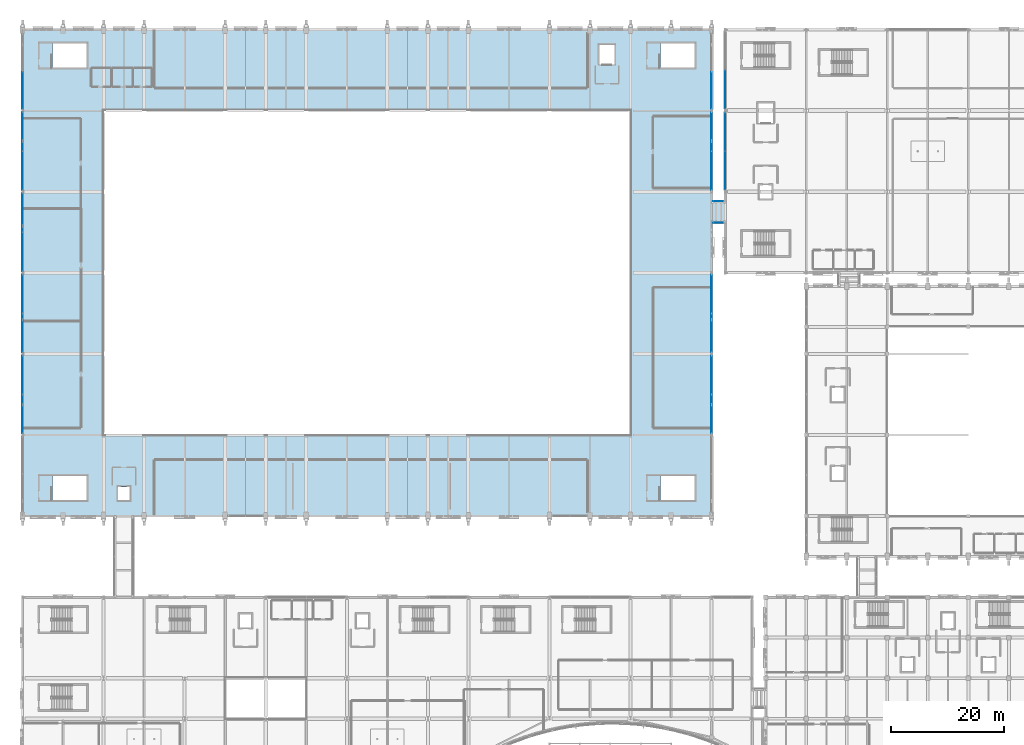
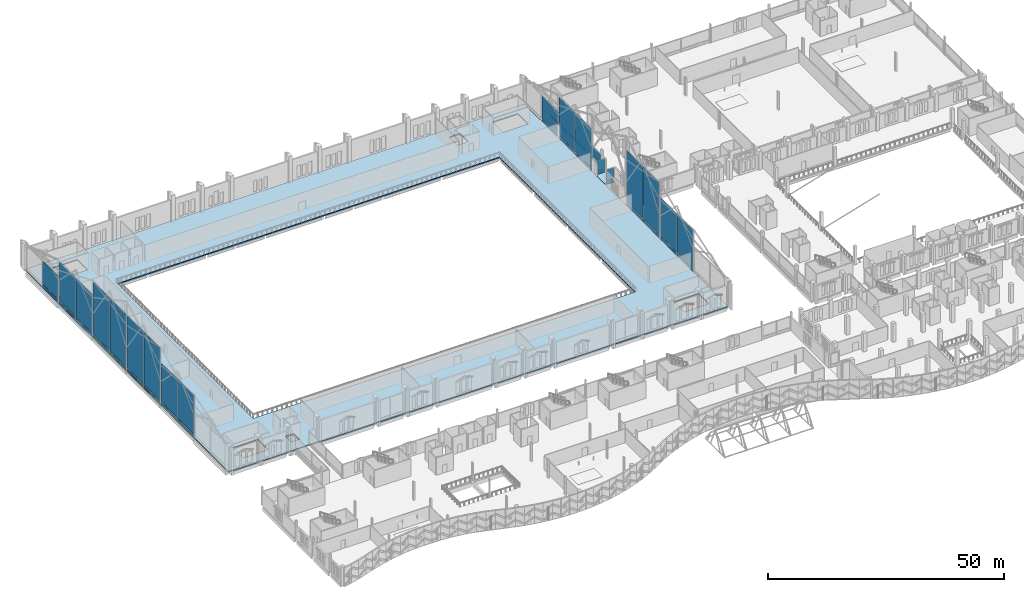
# One storey, part 131 of 220: 42 plates, 2 slabs, 13 elements without a shape of their own.
"""IFC4 building model written with IfcOpenShell, lengths in metres."""

from ifc_helpers import new_model, si_unit, direction, frame, origin, origin_2d, place, context, subcontext, project, spatial, polyline, rectangle, outline, extrude, material, layer, layer_set, type_object, element, aggregate, save


model = new_model("IFC4")

# Units and contexts
model_context = context("Model", 3, precision=1e-05, world=origin(), true_north=direction((0.0, 1.0)))
body_context = subcontext(model_context, "Body", "Model", "MODEL_VIEW")
ifc_project = project(units=[si_unit("LENGTHUNIT", "METRE"), si_unit("AREAUNIT", "SQUARE_METRE"), si_unit("VOLUMEUNIT", "CUBIC_METRE"), si_unit("PLANEANGLEUNIT", "RADIAN"), si_unit("MASSUNIT", "GRAM", prefix="KILO")], contexts=[model_context])

# Site, building, storey
site_placement = place(None, origin())
site = spatial("IfcSite", under=ifc_project, at=site_placement, CompositionType="ELEMENT")
building_placement = place(site_placement, origin())
building = spatial("IfcBuilding", under=site, at=building_placement, Name="Cendralis Lancet Convention Centre", CompositionType="ELEMENT")
storey_placement = place(building_placement, frame((0.0, 0.0, 5.39990234375)))
storey = spatial("IfcBuildingStorey", under=building, at=storey_placement, Name="L01", CompositionType="ELEMENT", Elevation=5.39990234375)

# Curtain wall, plate
ifc_material_1 = material(Name="Anodised bronze architectural aluminium", Category="aluminium")
curtain_wall_type_1 = type_object("IfcCurtainWallType", Name="ARC-CW-BR01", PredefinedType="USERDEFINED", material=ifc_material_1)
curtain_wall_1_placement = place(storey_placement, origin())
curtain_wall_1 = element("IfcCurtainWall", 1, at=curtain_wall_1_placement, inside=storey, type_object=curtain_wall_type_1, Name="L01 Curtain Wall CW-BR1 #193", ObjectType="CURTAIN WALL", PredefinedType="USERDEFINED")
ifc_material_2 = material(Name="Double-glazed low-E solar-control glass", Category="glass")
ifc_layer_1 = layer(ifc_material_2, 0.035888671875, Name="Double-glazed low-E solar-control glass")
ifc_layer_set_1 = layer_set([ifc_layer_1], Name="Double-glazed low-E solar-control glass")
plate_type_1 = type_object("IfcPlateType", Name="ARC-PL-GL01", PredefinedType="CURTAIN_PANEL", material=ifc_layer_set_1)
plate_1_placement = place(storey_placement, frame((123.60009765625, 102.47998046875, 0.820068359375), z_axis=(0.0, 0.0, 1.0), x_axis=(1.0, 0.0, 0.0)))
plate_1 = element("IfcPlate", 2, at=plate_1_placement, type_object=plate_type_1, Name="Vision Glass Panel CW2-CW-BR1-L01-193-PG0", PredefinedType="CURTAIN_PANEL", context=body_context, shape_type="SweptSolid", body=[
    extrude(rectangle(XDim=1.760009765625, YDim=0.035888671875, at=origin_2d()), origin(), (0.0, 0.0, 1.0), 2.7451171875),
])

curtain_wall_2_placement = place(storey_placement, origin())
curtain_wall_2 = element("IfcCurtainWall", 3, at=curtain_wall_2_placement, inside=storey, type_object=curtain_wall_type_1, Name="L01 Curtain Wall CW-BR1 #194", ObjectType="CURTAIN WALL", PredefinedType="USERDEFINED")
plate_2_placement = place(storey_placement, frame((123.60009765625, 106.320068359375, 0.820068359375), z_axis=(0.0, 0.0, 1.0), x_axis=(1.0, 0.0, 0.0)))
plate_2 = element("IfcPlate", 4, at=plate_2_placement, type_object=plate_type_1, Name="Vision Glass Panel CW2-CW-BR1-L01-194-PG0", PredefinedType="CURTAIN_PANEL", context=body_context, shape_type="SweptSolid", body=[
    extrude(rectangle(XDim=1.760009765625, YDim=0.035888671875, at=origin_2d()), origin(), (0.0, 0.0, 1.0), 2.7451171875),
])

# Curtain wall, plates
curtain_wall_type_2 = type_object("IfcCurtainWallType", Name="ARC-CW-GB02", PredefinedType="USERDEFINED", material=ifc_material_1)
curtain_wall_3_placement = place(storey_placement, origin())
curtain_wall_3 = element("IfcCurtainWall", 5, at=curtain_wall_3_placement, inside=storey, type_object=curtain_wall_type_2, Name="L01 Curtain Wall CW-GB2 #100", ObjectType="CURTAIN WALL", PredefinedType="USERDEFINED")
ifc_layer_2 = layer(ifc_material_2, 0.035888671875, Name="Double-glazed low-E solar-control glass")
ifc_layer_set_2 = layer_set([ifc_layer_2], Name="Double-glazed low-E solar-control glass")
plate_type_2 = type_object("IfcPlateType", Name="ARC-PL-GL02", PredefinedType="CURTAIN_PANEL", material=ifc_layer_set_2)
plate_3_placement = place(storey_placement, frame((0.0, 68.513916015625, 0.830078125), z_axis=(0.0, 0.0, 1.0), x_axis=(0.0, 1.0, 0.0)))
plate_3 = element("IfcPlate", 6, at=plate_3_placement, type_object=plate_type_2, Name="Vision Glass Panel CW2-CW-GB2-L01-100-PG0", PredefinedType="CURTAIN_PANEL", context=body_context, shape_type="SweptSolid", body=[
    extrude(rectangle(XDim=6.792236328125, YDim=0.035888671875, at=origin_2d()), origin(), (0.0, 0.0, 1.0), 9.990966796875),
])
plate_4_placement = place(storey_placement, frame((0.0, 75.486083984375, 0.830078125), z_axis=(0.0, 0.0, 1.0), x_axis=(0.0, 1.0, 0.0)))
plate_4 = element("IfcPlate", 7, at=plate_4_placement, type_object=plate_type_2, Name="Vision Glass Panel CW2-CW-GB2-L01-100-PG1", PredefinedType="CURTAIN_PANEL", context=body_context, shape_type="SweptSolid", body=[
    extrude(rectangle(XDim=6.792236328125, YDim=0.035888671875, at=origin_2d()), origin(), (0.0, 0.0, 1.0), 9.990966796875),
])

curtain_wall_4_placement = place(storey_placement, origin())
curtain_wall_4 = element("IfcCurtainWall", 8, at=curtain_wall_4_placement, inside=storey, type_object=curtain_wall_type_2, Name="L01 Curtain Wall CW-GB2 #101", ObjectType="CURTAIN WALL", PredefinedType="USERDEFINED")
plate_5_placement = place(storey_placement, frame((0.0, 82.913818359375, 0.830078125), z_axis=(0.0, 0.0, 1.0), x_axis=(0.0, 1.0, 0.0)))
plate_5 = element("IfcPlate", 9, at=plate_5_placement, type_object=plate_type_2, Name="Vision Glass Panel CW2-CW-GB2-L01-101-PG0", PredefinedType="CURTAIN_PANEL", context=body_context, shape_type="SweptSolid", body=[
    extrude(rectangle(XDim=6.792236328125, YDim=0.035888671875, at=origin_2d()), origin(), (0.0, 0.0, 1.0), 13.5458984375),
])
plate_6_placement = place(storey_placement, frame((0.0, 89.885986328125, 0.830078125), z_axis=(0.0, 0.0, 1.0), x_axis=(0.0, 1.0, 0.0)))
plate_6 = element("IfcPlate", 10, at=plate_6_placement, type_object=plate_type_2, Name="Vision Glass Panel CW2-CW-GB2-L01-101-PG1", PredefinedType="CURTAIN_PANEL", context=body_context, shape_type="SweptSolid", body=[
    extrude(rectangle(XDim=6.792236328125, YDim=0.035888671875, at=origin_2d()), origin(), (0.0, 0.0, 1.0), 13.5458984375),
])

curtain_wall_5_placement = place(storey_placement, origin())
curtain_wall_5 = element("IfcCurtainWall", 11, at=curtain_wall_5_placement, inside=storey, type_object=curtain_wall_type_2, Name="L01 Curtain Wall CW-GB2 #102", ObjectType="CURTAIN WALL", PredefinedType="USERDEFINED")
plate_7_placement = place(storey_placement, frame((0.0, 97.31396484375, 0.830078125), z_axis=(0.0, 0.0, 1.0), x_axis=(0.0, 1.0, 0.0)))
plate_7 = element("IfcPlate", 12, at=plate_7_placement, type_object=plate_type_2, Name="Vision Glass Panel CW2-CW-GB2-L01-102-PG0", PredefinedType="CURTAIN_PANEL", context=body_context, shape_type="SweptSolid", body=[
    extrude(rectangle(XDim=6.792236328125, YDim=0.035888671875, at=origin_2d()), origin(), (0.0, 0.0, 1.0), 13.5458984375),
])
plate_8_placement = place(storey_placement, frame((0.0, 104.2861328125, 0.830078125), z_axis=(0.0, 0.0, 1.0), x_axis=(0.0, 1.0, 0.0)))
plate_8 = element("IfcPlate", 13, at=plate_8_placement, type_object=plate_type_2, Name="Vision Glass Panel CW2-CW-GB2-L01-102-PG1", PredefinedType="CURTAIN_PANEL", context=body_context, shape_type="SweptSolid", body=[
    extrude(rectangle(XDim=6.792236328125, YDim=0.035888671875, at=origin_2d()), origin(), (0.0, 0.0, 1.0), 13.5458984375),
])

curtain_wall_6_placement = place(storey_placement, origin())
curtain_wall_6 = element("IfcCurtainWall", 14, at=curtain_wall_6_placement, inside=storey, type_object=curtain_wall_type_2, Name="L01 Curtain Wall CW-GB2 #103", ObjectType="CURTAIN WALL", PredefinedType="USERDEFINED")
plate_9_placement = place(storey_placement, frame((0.0, 111.7138671875, 0.830078125), z_axis=(0.0, 0.0, 1.0), x_axis=(0.0, 1.0, 0.0)))
plate_9 = element("IfcPlate", 15, at=plate_9_placement, type_object=plate_type_2, Name="Vision Glass Panel CW2-CW-GB2-L01-103-PG0", PredefinedType="CURTAIN_PANEL", context=body_context, shape_type="SweptSolid", body=[
    extrude(rectangle(XDim=6.792236328125, YDim=0.035888671875, at=origin_2d()), origin(), (0.0, 0.0, 1.0), 9.990966796875),
])
plate_10_placement = place(storey_placement, frame((0.0, 118.68603515625, 0.830078125), z_axis=(0.0, 0.0, 1.0), x_axis=(0.0, 1.0, 0.0)))
plate_10 = element("IfcPlate", 16, at=plate_10_placement, type_object=plate_type_2, Name="Vision Glass Panel CW2-CW-GB2-L01-103-PG1", PredefinedType="CURTAIN_PANEL", context=body_context, shape_type="SweptSolid", body=[
    extrude(rectangle(XDim=6.792236328125, YDim=0.035888671875, at=origin_2d()), origin(), (0.0, 0.0, 1.0), 9.990966796875),
])

# Curtain wall, plate
curtain_wall_7_placement = place(storey_placement, origin())
curtain_wall_7 = element("IfcCurtainWall", 17, at=curtain_wall_7_placement, inside=storey, type_object=curtain_wall_type_2, Name="L01 Curtain Wall CW-GB2 #104", ObjectType="CURTAIN WALL", PredefinedType="USERDEFINED")
plate_11_placement = place(storey_placement, frame((0.0, 125.9833984375, 0.830078125), z_axis=(0.0, 0.0, 1.0), x_axis=(0.0, 1.0, 0.0)))
plate_11 = element("IfcPlate", 18, at=plate_11_placement, type_object=plate_type_2, Name="Vision Glass Panel CW2-CW-GB2-L01-104-PG0", PredefinedType="CURTAIN_PANEL", context=body_context, shape_type="SweptSolid", body=[
    extrude(rectangle(XDim=6.531005859375, YDim=0.035888671875, at=origin_2d()), origin(), (0.0, 0.0, 1.0), 5.93994140625),
])

# Curtain wall, plates
curtain_wall_8_placement = place(storey_placement, origin())
curtain_wall_8 = element("IfcCurtainWall", 19, at=curtain_wall_8_placement, inside=storey, type_object=curtain_wall_type_2, Name="L01 Curtain Wall CW-GB2 #106", ObjectType="CURTAIN WALL", PredefinedType="USERDEFINED")
plate_12_placement = place(storey_placement, frame((122.39990234375, 75.486083984375, 0.830078125), z_axis=(0.0, 0.0, 1.0), x_axis=(0.0, -1.0, 0.0)))
plate_12 = element("IfcPlate", 20, at=plate_12_placement, type_object=plate_type_2, Name="Vision Glass Panel CW2-CW-GB2-L01-106-PG0", PredefinedType="CURTAIN_PANEL", context=body_context, shape_type="SweptSolid", body=[
    extrude(rectangle(XDim=6.792236328125, YDim=0.035888671875, at=origin_2d()), origin(), (0.0, 0.0, 1.0), 9.990966796875),
])
plate_13_placement = place(storey_placement, frame((122.39990234375, 68.513916015625, 0.830078125), z_axis=(0.0, 0.0, 1.0), x_axis=(0.0, -1.0, 0.0)))
plate_13 = element("IfcPlate", 21, at=plate_13_placement, type_object=plate_type_2, Name="Vision Glass Panel CW2-CW-GB2-L01-106-PG1", PredefinedType="CURTAIN_PANEL", context=body_context, shape_type="SweptSolid", body=[
    extrude(rectangle(XDim=6.792236328125, YDim=0.035888671875, at=origin_2d()), origin(), (0.0, 0.0, 1.0), 9.990966796875),
])

curtain_wall_9_placement = place(storey_placement, origin())
curtain_wall_9 = element("IfcCurtainWall", 22, at=curtain_wall_9_placement, inside=storey, type_object=curtain_wall_type_2, Name="L01 Curtain Wall CW-GB2 #107", ObjectType="CURTAIN WALL", PredefinedType="USERDEFINED")
plate_14_placement = place(storey_placement, frame((122.39990234375, 89.885986328125, 0.830078125), z_axis=(0.0, 0.0, 1.0), x_axis=(0.0, -1.0, 0.0)))
plate_14 = element("IfcPlate", 23, at=plate_14_placement, type_object=plate_type_2, Name="Vision Glass Panel CW2-CW-GB2-L01-107-PG0", PredefinedType="CURTAIN_PANEL", context=body_context, shape_type="SweptSolid", body=[
    extrude(rectangle(XDim=6.792236328125, YDim=0.035888671875, at=origin_2d()), origin(), (0.0, 0.0, 1.0), 13.5458984375),
])
plate_15_placement = place(storey_placement, frame((122.39990234375, 82.913818359375, 0.830078125), z_axis=(0.0, 0.0, 1.0), x_axis=(0.0, -1.0, 0.0)))
plate_15 = element("IfcPlate", 24, at=plate_15_placement, type_object=plate_type_2, Name="Vision Glass Panel CW2-CW-GB2-L01-107-PG1", PredefinedType="CURTAIN_PANEL", context=body_context, shape_type="SweptSolid", body=[
    extrude(rectangle(XDim=6.792236328125, YDim=0.035888671875, at=origin_2d()), origin(), (0.0, 0.0, 1.0), 13.5458984375),
])

curtain_wall_10_placement = place(storey_placement, origin())
curtain_wall_10 = element("IfcCurtainWall", 25, at=curtain_wall_10_placement, inside=storey, type_object=curtain_wall_type_2, Name="L01 Curtain Wall CW-GB2 #108", ObjectType="CURTAIN WALL", PredefinedType="USERDEFINED")
plate_16_placement = place(storey_placement, frame((122.39990234375, 118.68603515625, 0.830078125), z_axis=(0.0, 0.0, 1.0), x_axis=(0.0, -1.0, 0.0)))
plate_16 = element("IfcPlate", 26, at=plate_16_placement, type_object=plate_type_2, Name="Vision Glass Panel CW2-CW-GB2-L01-108-PG0", PredefinedType="CURTAIN_PANEL", context=body_context, shape_type="SweptSolid", body=[
    extrude(rectangle(XDim=6.792236328125, YDim=0.035888671875, at=origin_2d()), origin(), (0.0, 0.0, 1.0), 9.990966796875),
])
plate_17_placement = place(storey_placement, frame((122.39990234375, 111.7138671875, 0.830078125), z_axis=(0.0, 0.0, 1.0), x_axis=(0.0, -1.0, 0.0)))
plate_17 = element("IfcPlate", 27, at=plate_17_placement, type_object=plate_type_2, Name="Vision Glass Panel CW2-CW-GB2-L01-108-PG1", PredefinedType="CURTAIN_PANEL", context=body_context, shape_type="SweptSolid", body=[
    extrude(rectangle(XDim=6.792236328125, YDim=0.035888671875, at=origin_2d()), origin(), (0.0, 0.0, 1.0), 9.990966796875),
])

# Curtain wall, plate
curtain_wall_11_placement = place(storey_placement, origin())
curtain_wall_11 = element("IfcCurtainWall", 28, at=curtain_wall_11_placement, inside=storey, type_object=curtain_wall_type_2, Name="L01 Curtain Wall CW-GB2 #109", ObjectType="CURTAIN WALL", PredefinedType="USERDEFINED")
plate_18_placement = place(storey_placement, frame((122.39990234375, 125.9833984375, 0.830078125), z_axis=(0.0, 0.0, 1.0), x_axis=(0.0, -1.0, 0.0)))
plate_18 = element("IfcPlate", 29, at=plate_18_placement, type_object=plate_type_2, Name="Vision Glass Panel CW2-CW-GB2-L01-109-PG1", PredefinedType="CURTAIN_PANEL", context=body_context, shape_type="SweptSolid", body=[
    extrude(rectangle(XDim=6.531005859375, YDim=0.035888671875, at=origin_2d()), origin(), (0.0, 0.0, 1.0), 5.93994140625),
])

# Curtain wall, plates
curtain_wall_type_3 = type_object("IfcCurtainWallType", Name="ARC-CW-BL01", PredefinedType="USERDEFINED", material=ifc_material_1)
curtain_wall_12_placement = place(storey_placement, origin())
curtain_wall_12 = element("IfcCurtainWall", 30, at=curtain_wall_12_placement, inside=storey, type_object=curtain_wall_type_3, Name="L01 Curtain Wall CW-BL1 #150", ObjectType="CURTAIN WALL", PredefinedType="USERDEFINED")
ifc_layer_3 = layer(ifc_material_2, 0.035888671875, Name="Double-glazed low-E solar-control glass")
ifc_layer_set_3 = layer_set([ifc_layer_3], Name="Double-glazed low-E solar-control glass")
plate_type_3 = type_object("IfcPlateType", Name="ARC-PL-GL03", PredefinedType="CURTAIN_PANEL", material=ifc_layer_set_3)
plate_19_placement = place(storey_placement, frame((124.800048828125, 111.762451171875, 0.792724609375), z_axis=(0.0, 0.0, 1.0), x_axis=(0.0, 1.0, 0.0)))
plate_19 = element("IfcPlate", 31, at=plate_19_placement, type_object=plate_type_3, Name="Vision Glass Panel CW2-CW-BL1-L01-150-PG0", PredefinedType="CURTAIN_PANEL", context=body_context, shape_type="SweptSolid", body=[
    extrude(rectangle(XDim=6.715087890625, YDim=0.035888671875, at=origin_2d()), origin(), (0.0, 0.0, 1.0), 2.42236328125),
])
plate_20_placement = place(storey_placement, frame((124.800048828125, 118.637451171875, 0.792724609375), z_axis=(0.0, 0.0, 1.0), x_axis=(0.0, 1.0, 0.0)))
plate_20 = element("IfcPlate", 32, at=plate_20_placement, type_object=plate_type_3, Name="Vision Glass Panel CW2-CW-BL1-L01-150-PG1", PredefinedType="CURTAIN_PANEL", context=body_context, shape_type="SweptSolid", body=[
    extrude(rectangle(XDim=6.715087890625, YDim=0.035888671875, at=origin_2d()), origin(), (0.0, 0.0, 1.0), 2.42236328125),
])

# Curtain wall, plate
curtain_wall_13_placement = place(storey_placement, origin())
curtain_wall_13 = element("IfcCurtainWall", 33, at=curtain_wall_13_placement, inside=storey, type_object=curtain_wall_type_3, Name="L01 Curtain Wall CW-BL1 #151", ObjectType="CURTAIN WALL", PredefinedType="USERDEFINED")
plate_21_placement = place(storey_placement, frame((124.800048828125, 126.16259765625, 0.792724609375), z_axis=(0.0, 0.0, 1.0), x_axis=(0.0, 1.0, 0.0)))
plate_21 = element("IfcPlate", 34, at=plate_21_placement, type_object=plate_type_3, Name="Vision Glass Panel CW2-CW-BL1-L01-151-PG0", PredefinedType="CURTAIN_PANEL", context=body_context, shape_type="SweptSolid", body=[
    extrude(rectangle(XDim=6.715087890625, YDim=0.035888671875, at=origin_2d()), origin(), (0.0, 0.0, 1.0), 2.42236328125),
])

# Plate
ifc_material_3 = material(Name="Insulated ceramic-fritted spandrel glass", Category="glass")
ifc_layer_4 = layer(ifc_material_3, 0.044921875, Name="Insulated ceramic-fritted spandrel glass")
ifc_layer_set_4 = layer_set([ifc_layer_4], Name="Insulated ceramic-fritted spandrel glass")
plate_type_4 = type_object("IfcPlateType", Name="ARC-PL-SP01", PredefinedType="CURTAIN_PANEL", material=ifc_layer_set_4)
plate_22_placement = place(storey_placement, frame((0.0, 68.513916015625, 0.080078125), z_axis=(0.0, 0.0, 1.0), x_axis=(0.0, 1.0, 0.0)))
plate_22 = element("IfcPlate", 35, at=plate_22_placement, type_object=plate_type_4, Name="Spandrel Panel CW2-CW-GB2-L01-100-PS0", PredefinedType="CURTAIN_PANEL", context=body_context, shape_type="SweptSolid", body=[
    extrude(rectangle(XDim=6.792236328125, YDim=0.044921875, at=origin_2d()), origin(), (0.0, 0.0, 1.0), 0.590087890625),
])

plate_23_placement = place(storey_placement, frame((0.0, 75.486083984375, 0.080078125), z_axis=(0.0, 0.0, 1.0), x_axis=(0.0, 1.0, 0.0)))
plate_23 = element("IfcPlate", 36, at=plate_23_placement, type_object=plate_type_4, Name="Spandrel Panel CW2-CW-GB2-L01-100-PS1", PredefinedType="CURTAIN_PANEL", context=body_context, shape_type="SweptSolid", body=[
    extrude(rectangle(XDim=6.792236328125, YDim=0.044921875, at=origin_2d()), origin(), (0.0, 0.0, 1.0), 0.590087890625),
])

aggregate(curtain_wall_3, [plate_22, plate_3, plate_23, plate_4])

plate_24_placement = place(storey_placement, frame((0.0, 82.913818359375, 0.080078125), z_axis=(0.0, 0.0, 1.0), x_axis=(0.0, 1.0, 0.0)))
plate_24 = element("IfcPlate", 37, at=plate_24_placement, type_object=plate_type_4, Name="Spandrel Panel CW2-CW-GB2-L01-101-PS0", PredefinedType="CURTAIN_PANEL", context=body_context, shape_type="SweptSolid", body=[
    extrude(rectangle(XDim=6.792236328125, YDim=0.044921875, at=origin_2d()), origin(), (0.0, 0.0, 1.0), 0.590087890625),
])

plate_25_placement = place(storey_placement, frame((0.0, 89.885986328125, 0.080078125), z_axis=(0.0, 0.0, 1.0), x_axis=(0.0, 1.0, 0.0)))
plate_25 = element("IfcPlate", 38, at=plate_25_placement, type_object=plate_type_4, Name="Spandrel Panel CW2-CW-GB2-L01-101-PS1", PredefinedType="CURTAIN_PANEL", context=body_context, shape_type="SweptSolid", body=[
    extrude(rectangle(XDim=6.792236328125, YDim=0.044921875, at=origin_2d()), origin(), (0.0, 0.0, 1.0), 0.590087890625),
])

aggregate(curtain_wall_4, [plate_24, plate_5, plate_25, plate_6])

plate_26_placement = place(storey_placement, frame((0.0, 97.31396484375, 0.080078125), z_axis=(0.0, 0.0, 1.0), x_axis=(0.0, 1.0, 0.0)))
plate_26 = element("IfcPlate", 39, at=plate_26_placement, type_object=plate_type_4, Name="Spandrel Panel CW2-CW-GB2-L01-102-PS0", PredefinedType="CURTAIN_PANEL", context=body_context, shape_type="SweptSolid", body=[
    extrude(rectangle(XDim=6.792236328125, YDim=0.044921875, at=origin_2d()), origin(), (0.0, 0.0, 1.0), 0.590087890625),
])

plate_27_placement = place(storey_placement, frame((0.0, 104.2861328125, 0.080078125), z_axis=(0.0, 0.0, 1.0), x_axis=(0.0, 1.0, 0.0)))
plate_27 = element("IfcPlate", 40, at=plate_27_placement, type_object=plate_type_4, Name="Spandrel Panel CW2-CW-GB2-L01-102-PS1", PredefinedType="CURTAIN_PANEL", context=body_context, shape_type="SweptSolid", body=[
    extrude(rectangle(XDim=6.792236328125, YDim=0.044921875, at=origin_2d()), origin(), (0.0, 0.0, 1.0), 0.590087890625),
])

aggregate(curtain_wall_5, [plate_26, plate_7, plate_27, plate_8])

plate_28_placement = place(storey_placement, frame((0.0, 111.7138671875, 0.080078125), z_axis=(0.0, 0.0, 1.0), x_axis=(0.0, 1.0, 0.0)))
plate_28 = element("IfcPlate", 41, at=plate_28_placement, type_object=plate_type_4, Name="Spandrel Panel CW2-CW-GB2-L01-103-PS0", PredefinedType="CURTAIN_PANEL", context=body_context, shape_type="SweptSolid", body=[
    extrude(rectangle(XDim=6.792236328125, YDim=0.044921875, at=origin_2d()), origin(), (0.0, 0.0, 1.0), 0.590087890625),
])

plate_29_placement = place(storey_placement, frame((0.0, 118.68603515625, 0.080078125), z_axis=(0.0, 0.0, 1.0), x_axis=(0.0, 1.0, 0.0)))
plate_29 = element("IfcPlate", 42, at=plate_29_placement, type_object=plate_type_4, Name="Spandrel Panel CW2-CW-GB2-L01-103-PS1", PredefinedType="CURTAIN_PANEL", context=body_context, shape_type="SweptSolid", body=[
    extrude(rectangle(XDim=6.792236328125, YDim=0.044921875, at=origin_2d()), origin(), (0.0, 0.0, 1.0), 0.590087890625),
])

aggregate(curtain_wall_6, [plate_28, plate_9, plate_29, plate_10])

plate_30_placement = place(storey_placement, frame((0.0, 125.9833984375, 0.080078125), z_axis=(0.0, 0.0, 1.0), x_axis=(0.0, 1.0, 0.0)))
plate_30 = element("IfcPlate", 43, at=plate_30_placement, type_object=plate_type_4, Name="Spandrel Panel CW2-CW-GB2-L01-104-PS0", PredefinedType="CURTAIN_PANEL", context=body_context, shape_type="SweptSolid", body=[
    extrude(rectangle(XDim=6.531005859375, YDim=0.044921875, at=origin_2d()), origin(), (0.0, 0.0, 1.0), 0.590087890625),
])

aggregate(curtain_wall_7, [plate_30, plate_11])

plate_31_placement = place(storey_placement, frame((122.39990234375, 75.486083984375, 0.080078125), z_axis=(0.0, 0.0, 1.0), x_axis=(0.0, -1.0, 0.0)))
plate_31 = element("IfcPlate", 44, at=plate_31_placement, type_object=plate_type_4, Name="Spandrel Panel CW2-CW-GB2-L01-106-PS0", PredefinedType="CURTAIN_PANEL", context=body_context, shape_type="SweptSolid", body=[
    extrude(rectangle(XDim=6.792236328125, YDim=0.044921875, at=origin_2d()), origin(), (0.0, 0.0, 1.0), 0.590087890625),
])

plate_32_placement = place(storey_placement, frame((122.39990234375, 68.513916015625, 0.080078125), z_axis=(0.0, 0.0, 1.0), x_axis=(0.0, -1.0, 0.0)))
plate_32 = element("IfcPlate", 45, at=plate_32_placement, type_object=plate_type_4, Name="Spandrel Panel CW2-CW-GB2-L01-106-PS1", PredefinedType="CURTAIN_PANEL", context=body_context, shape_type="SweptSolid", body=[
    extrude(rectangle(XDim=6.792236328125, YDim=0.044921875, at=origin_2d()), origin(), (0.0, 0.0, 1.0), 0.590087890625),
])

aggregate(curtain_wall_8, [plate_31, plate_12, plate_32, plate_13])

plate_33_placement = place(storey_placement, frame((122.39990234375, 89.885986328125, 0.080078125), z_axis=(0.0, 0.0, 1.0), x_axis=(0.0, -1.0, 0.0)))
plate_33 = element("IfcPlate", 46, at=plate_33_placement, type_object=plate_type_4, Name="Spandrel Panel CW2-CW-GB2-L01-107-PS0", PredefinedType="CURTAIN_PANEL", context=body_context, shape_type="SweptSolid", body=[
    extrude(rectangle(XDim=6.792236328125, YDim=0.044921875, at=origin_2d()), origin(), (0.0, 0.0, 1.0), 0.590087890625),
])

plate_34_placement = place(storey_placement, frame((122.39990234375, 82.913818359375, 0.080078125), z_axis=(0.0, 0.0, 1.0), x_axis=(0.0, -1.0, 0.0)))
plate_34 = element("IfcPlate", 47, at=plate_34_placement, type_object=plate_type_4, Name="Spandrel Panel CW2-CW-GB2-L01-107-PS1", PredefinedType="CURTAIN_PANEL", context=body_context, shape_type="SweptSolid", body=[
    extrude(rectangle(XDim=6.792236328125, YDim=0.044921875, at=origin_2d()), origin(), (0.0, 0.0, 1.0), 0.590087890625),
])

aggregate(curtain_wall_9, [plate_33, plate_14, plate_34, plate_15])

plate_35_placement = place(storey_placement, frame((122.39990234375, 118.68603515625, 0.080078125), z_axis=(0.0, 0.0, 1.0), x_axis=(0.0, -1.0, 0.0)))
plate_35 = element("IfcPlate", 48, at=plate_35_placement, type_object=plate_type_4, Name="Spandrel Panel CW2-CW-GB2-L01-108-PS0", PredefinedType="CURTAIN_PANEL", context=body_context, shape_type="SweptSolid", body=[
    extrude(rectangle(XDim=6.792236328125, YDim=0.044921875, at=origin_2d()), origin(), (0.0, 0.0, 1.0), 0.590087890625),
])

plate_36_placement = place(storey_placement, frame((122.39990234375, 111.7138671875, 0.080078125), z_axis=(0.0, 0.0, 1.0), x_axis=(0.0, -1.0, 0.0)))
plate_36 = element("IfcPlate", 49, at=plate_36_placement, type_object=plate_type_4, Name="Spandrel Panel CW2-CW-GB2-L01-108-PS1", PredefinedType="CURTAIN_PANEL", context=body_context, shape_type="SweptSolid", body=[
    extrude(rectangle(XDim=6.792236328125, YDim=0.044921875, at=origin_2d()), origin(), (0.0, 0.0, 1.0), 0.590087890625),
])

aggregate(curtain_wall_10, [plate_35, plate_16, plate_36, plate_17])

plate_37_placement = place(storey_placement, frame((122.39990234375, 125.9833984375, 0.080078125), z_axis=(0.0, 0.0, 1.0), x_axis=(0.0, -1.0, 0.0)))
plate_37 = element("IfcPlate", 50, at=plate_37_placement, type_object=plate_type_4, Name="Spandrel Panel CW2-CW-GB2-L01-109-PS1", PredefinedType="CURTAIN_PANEL", context=body_context, shape_type="SweptSolid", body=[
    extrude(rectangle(XDim=6.531005859375, YDim=0.044921875, at=origin_2d()), origin(), (0.0, 0.0, 1.0), 0.590087890625),
])

aggregate(curtain_wall_11, [plate_37, plate_18])

plate_38_placement = place(storey_placement, frame((124.800048828125, 111.762451171875, 0.0703125), z_axis=(0.0, 0.0, 1.0), x_axis=(0.0, 1.0, 0.0)))
plate_38 = element("IfcPlate", 51, at=plate_38_placement, type_object=plate_type_4, Name="Spandrel Panel CW2-CW-BL1-L01-150-PS0", PredefinedType="CURTAIN_PANEL", context=body_context, shape_type="SweptSolid", body=[
    extrude(rectangle(XDim=6.715087890625, YDim=0.044921875, at=origin_2d()), origin(), (0.0, 0.0, 1.0), 0.582763671875),
])

plate_39_placement = place(storey_placement, frame((124.800048828125, 118.637451171875, 0.0703125), z_axis=(0.0, 0.0, 1.0), x_axis=(0.0, 1.0, 0.0)))
plate_39 = element("IfcPlate", 52, at=plate_39_placement, type_object=plate_type_4, Name="Spandrel Panel CW2-CW-BL1-L01-150-PS1", PredefinedType="CURTAIN_PANEL", context=body_context, shape_type="SweptSolid", body=[
    extrude(rectangle(XDim=6.715087890625, YDim=0.044921875, at=origin_2d()), origin(), (0.0, 0.0, 1.0), 0.582763671875),
])

aggregate(curtain_wall_12, [plate_38, plate_19, plate_39, plate_20])

plate_40_placement = place(storey_placement, frame((124.800048828125, 126.16259765625, 0.0703125), z_axis=(0.0, 0.0, 1.0), x_axis=(0.0, 1.0, 0.0)))
plate_40 = element("IfcPlate", 53, at=plate_40_placement, type_object=plate_type_4, Name="Spandrel Panel CW2-CW-BL1-L01-151-PS0", PredefinedType="CURTAIN_PANEL", context=body_context, shape_type="SweptSolid", body=[
    extrude(rectangle(XDim=6.715087890625, YDim=0.044921875, at=origin_2d()), origin(), (0.0, 0.0, 1.0), 0.582763671875),
])

aggregate(curtain_wall_13, [plate_40, plate_21])

plate_41_placement = place(storey_placement, frame((123.60009765625, 102.47998046875, 0.06982421875), z_axis=(0.0, 0.0, 1.0), x_axis=(1.0, 0.0, 0.0)))
plate_41 = element("IfcPlate", 54, at=plate_41_placement, type_object=plate_type_4, Name="Spandrel Panel CW2-CW-BR1-L01-193-PS0", PredefinedType="CURTAIN_PANEL", context=body_context, shape_type="SweptSolid", body=[
    extrude(rectangle(XDim=1.760009765625, YDim=0.044921875, at=origin_2d()), origin(), (0.0, 0.0, 1.0), 0.610107421875),
])

aggregate(curtain_wall_1, [plate_41, plate_1])

plate_42_placement = place(storey_placement, frame((123.60009765625, 106.320068359375, 0.06982421875), z_axis=(0.0, 0.0, 1.0), x_axis=(1.0, 0.0, 0.0)))
plate_42 = element("IfcPlate", 55, at=plate_42_placement, type_object=plate_type_4, Name="Spandrel Panel CW2-CW-BR1-L01-194-PS0", PredefinedType="CURTAIN_PANEL", context=body_context, shape_type="SweptSolid", body=[
    extrude(rectangle(XDim=1.760009765625, YDim=0.044921875, at=origin_2d()), origin(), (0.0, 0.0, 1.0), 0.610107421875),
])

aggregate(curtain_wall_2, [plate_42, plate_2])

# Slabs
ifc_material_4 = material(Name="Concrete G35 (C35/45)", Category="concrete")
ifc_layer_5 = layer(ifc_material_4, 0.219970703125, Name="Concrete G35 (C35/45)")
ifc_layer_set_5 = layer_set([ifc_layer_5], Name="Concrete G35 (C35/45)")
slab_type_1 = type_object("IfcSlabType", Name="STR-SL-FS22", PredefinedType="FLOOR", material=ifc_layer_set_5)
slab_1_placement = place(storey_placement, frame((0.0, 0.0, -0.219970703125)))
element("IfcSlab", 56, at=slab_1_placement, inside=storey, type_object=slab_type_1, Name="Exhibition-Ballroom Link Bridge Link Slab L01", PredefinedType="FLOOR", context=body_context, shape_type="SweptSolid", body=[
    extrude(outline(polyline([(122.75, 102.39990234375), (124.449951171875, 102.39990234375), (124.800048828125, 102.75), (124.800048828125, 106.050048828125), (124.449951171875, 106.39990234375), (122.75, 106.39990234375), (122.39990234375, 106.050048828125), (122.39990234375, 102.75), (122.75, 102.39990234375)])), origin(), (0.0, 0.0, 1.0), 0.219970703125),
])
ifc_layer_6 = layer(ifc_material_4, 0.280029296875, Name="Concrete G35 (C35/45)")
ifc_layer_set_6 = layer_set([ifc_layer_6], Name="Concrete G35 (C35/45)")
slab_type_2 = type_object("IfcSlabType", Name="STR-SL-FS28", PredefinedType="FLOOR", material=ifc_layer_set_6)
slab_2_placement = place(storey_placement, frame((0.0, 0.0, -0.27978515625)))
element("IfcSlab", 57, at=slab_2_placement, inside=storey, type_object=slab_type_2, Name="L01 V1 Floor Slab FS-280", PredefinedType="FLOOR", context=body_context, shape_type="SweptSolid", body=[
    extrude(outline(polyline([(0.0, 50.39990234375), (122.39990234375, 50.39990234375), (122.39990234375, 136.800048828125), (0.0, 136.800048828125), (0.0, 50.39990234375)]), holes=[polyline([(14.39990234375, 64.800048828125), (108.0, 64.800048828125), (108.0, 122.39990234375), (14.39990234375, 122.39990234375), (14.39990234375, 64.800048828125)]), polyline([(5.31005859375, 53.199951171875), (11.39990234375, 53.199951171875), (11.39990234375, 57.580078125), (5.31005859375, 57.580078125), (5.31005859375, 53.199951171875)]), polyline([(5.31005859375, 130.0), (11.39990234375, 130.0), (11.39990234375, 134.3798828125), (5.31005859375, 134.3798828125), (5.31005859375, 130.0)]), polyline([(113.31005859375, 53.199951171875), (119.39990234375, 53.199951171875), (119.39990234375, 57.580078125), (113.31005859375, 57.580078125), (113.31005859375, 53.199951171875)]), polyline([(113.31005859375, 130.0), (119.39990234375, 130.0), (119.39990234375, 134.3798828125), (113.31005859375, 134.3798828125), (113.31005859375, 130.0)]), polyline([(16.949951171875, 53.199951171875), (19.050048828125, 53.199951171875), (19.050048828125, 55.60009765625), (16.949951171875, 55.60009765625), (16.949951171875, 53.199951171875)]), polyline([(102.449951171875, 130.64990234375), (105.14990234375, 130.64990234375), (105.14990234375, 134.14990234375), (102.449951171875, 134.14990234375), (102.449951171875, 130.64990234375)])]), origin(), (0.0, 0.0, 1.0), 0.27978515625),
])

save(model, "model.ifc")
